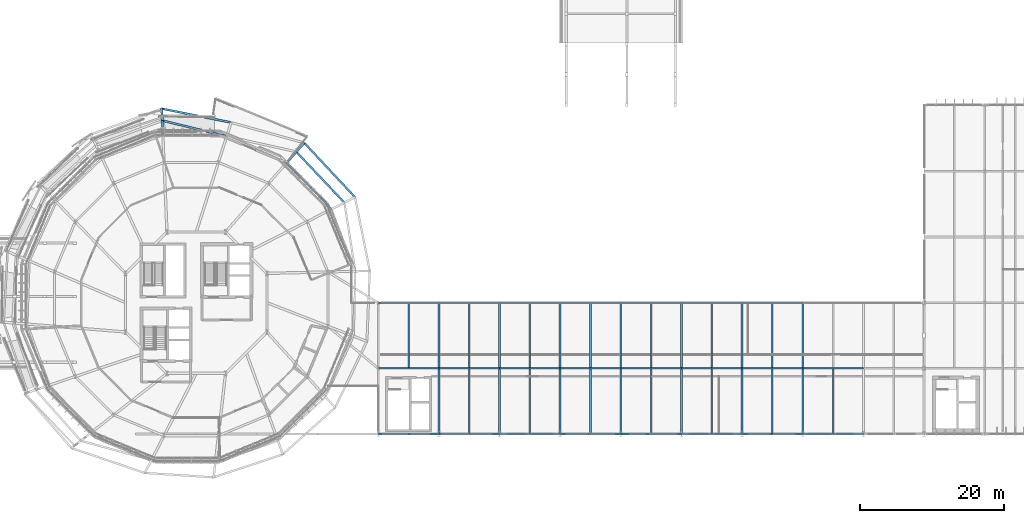
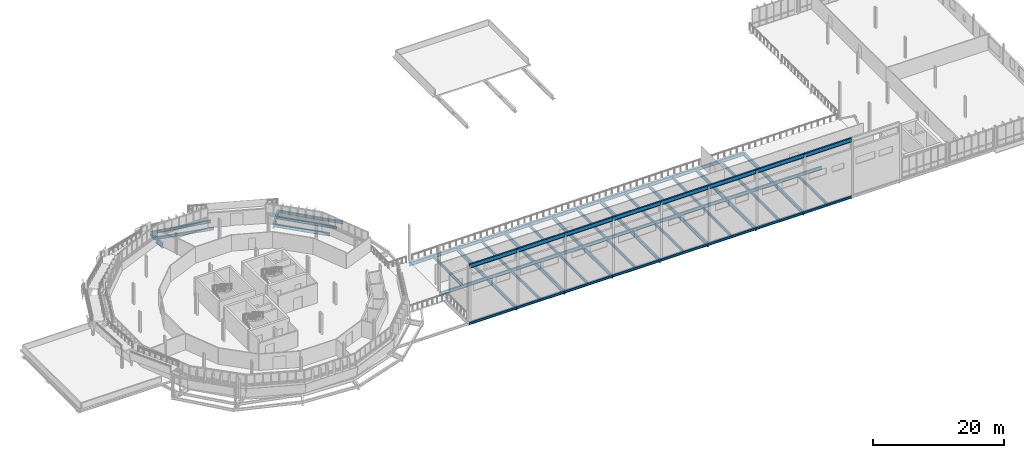
# One storey, part 30 of 61: 68 beams.
"""IFC4 building model written with IfcOpenShell, lengths in metres."""

from ifc_helpers import new_model, si_unit, derived_unit, direction, frame, origin, origin_2d, place, context, subcontext, project, spatial, i_section, extrude, material, material_profile, profile_set, type_object, element, save


model = new_model("IFC4")

# Units and contexts
model_context = context("Model", 3, precision=1e-05, world=origin(), true_north=direction((0.0, 1.0)))
body_context = subcontext(model_context, "Body", "Model", "MODEL_VIEW")
ifc_project = project(units=[si_unit("LENGTHUNIT", "METRE"), si_unit("AREAUNIT", "SQUARE_METRE"), si_unit("VOLUMEUNIT", "CUBIC_METRE"), si_unit("PLANEANGLEUNIT", "RADIAN"), si_unit("MASSUNIT", "GRAM", prefix="KILO"), derived_unit("THERMALTRANSMITTANCEUNIT", [(si_unit("MASSUNIT", "GRAM", prefix="KILO"), 1), (si_unit("TIMEUNIT", "SECOND"), -3), (si_unit("THERMODYNAMICTEMPERATUREUNIT", "KELVIN"), -1)])], contexts=[model_context])

# Site, building, storey
site_placement = place(None, origin())
site = spatial("IfcSite", under=ifc_project, at=site_placement, CompositionType="ELEMENT")
building_placement = place(site_placement, origin())
building = spatial("IfcBuilding", under=site, at=building_placement, Name="Makaiwela Harbour Ferry Terminal", CompositionType="ELEMENT")
storey_placement = place(building_placement, frame((0.0, 0.0, 13.800048828125)))
storey = spatial("IfcBuildingStorey", under=building, at=storey_placement, Name="L03", CompositionType="ELEMENT", Elevation=13.800048828125)

# Beams
ifc_material = material(Name="Steel ASTM A992 Grade 50", Category="steel")
ifc_material_profile_1 = material_profile(ifc_material, i_section(OverallWidth=0.280029296875, OverallDepth=0.462890625, WebThickness=0.0107421875, FlangeThickness=0.017333984375, at=origin_2d()), Name="W18X76")
ifc_profile_set_1 = profile_set([ifc_material_profile_1], Name="Steel ASTM A992 Grade 50")
beam_type_1 = type_object("IfcBeamType", Name="STR-BM-W18X76", PredefinedType="BEAM", material=ifc_profile_set_1)
beam_1_placement = place(storey_placement, frame((58.313720703125, 81.458740234375, -0.486572265625), z_axis=(-0.686996615629, 0.726660615497, 0.0), x_axis=(-0.726660615497, -0.686996615629, 0.0)))
element("IfcBeam", 1, at=beam_1_placement, inside=storey, type_object=beam_type_1, Name="Drum stage2 tie girder 331", PredefinedType="BEAM", context=body_context, shape_type="SweptSolid", body=[
    extrude(i_section(OverallWidth=0.280029296875, OverallDepth=0.462890625, WebThickness=0.0107421875, FlangeThickness=0.017333984375, at=origin_2d()), origin(), (0.0, 0.0, 1.0), 9.68212890625),
])
beam_2_placement = place(storey_placement, frame((42.01708984375, 90.650390625, -0.486572265625), z_axis=(-0.971619758184, 0.236548188551, 0.0), x_axis=(-0.236548188551, -0.971619758184, 0.0)))
element("IfcBeam", 2, at=beam_2_placement, inside=storey, type_object=beam_type_1, Name="Drum stage2 tie girder 335", PredefinedType="BEAM", context=body_context, shape_type="SweptSolid", body=[
    extrude(i_section(OverallWidth=0.280029296875, OverallDepth=0.462890625, WebThickness=0.0107421875, FlangeThickness=0.017333984375, at=origin_2d()), origin(), (0.0, 0.0, 1.0), 9.188720703125),
])
ifc_material_profile_2 = material_profile(ifc_material, i_section(OverallWidth=0.2099609375, OverallDepth=0.537109375, WebThickness=0.010986328125, FlangeThickness=0.017333984375, at=origin_2d()), Name="W21X68")
ifc_profile_set_2 = profile_set([ifc_material_profile_2], Name="Steel ASTM A992 Grade 50")
beam_type_2 = type_object("IfcBeamType", Name="STR-BM-W21X68", PredefinedType="BEAM", material=ifc_profile_set_2)
beam_3_placement = place(storey_placement, frame((67.199951171875, 58.596435546875, -0.508544921875), z_axis=(0.0, 1.0, 0.0), x_axis=(-1.0, 0.0, 0.0)))
element("IfcBeam", 3, at=beam_3_placement, inside=storey, type_object=beam_type_2, Name="Secondary floor beam 1633", PredefinedType="BEAM", context=body_context, shape_type="SweptSolid", body=[
    extrude(i_section(OverallWidth=0.2099609375, OverallDepth=0.537109375, WebThickness=0.010986328125, FlangeThickness=0.017333984375, at=origin_2d()), origin(), (0.0, 0.0, 1.0), 8.906982421875),
])
beam_4_placement = place(storey_placement, frame((75.60009765625, 49.514404296875, -0.508544921875), z_axis=(0.0, 1.0, 0.0), x_axis=(-1.0, 0.0, 0.0)))
element("IfcBeam", 4, at=beam_4_placement, inside=storey, type_object=beam_type_2, Name="Secondary floor beam 1634", PredefinedType="BEAM", context=body_context, shape_type="SweptSolid", body=[
    extrude(i_section(OverallWidth=0.2099609375, OverallDepth=0.537109375, WebThickness=0.010986328125, FlangeThickness=0.017333984375, at=origin_2d()), origin(), (0.0, 0.0, 1.0), 8.88916015625),
])
beam_5_placement = place(storey_placement, frame((75.60009765625, 58.596435546875, -0.508544921875), z_axis=(0.0, 1.0, 0.0), x_axis=(-1.0, 0.0, 0.0)))
element("IfcBeam", 5, at=beam_5_placement, inside=storey, type_object=beam_type_2, Name="Secondary floor beam 1635", PredefinedType="BEAM", context=body_context, shape_type="SweptSolid", body=[
    extrude(i_section(OverallWidth=0.2099609375, OverallDepth=0.537109375, WebThickness=0.010986328125, FlangeThickness=0.017333984375, at=origin_2d()), origin(), (0.0, 0.0, 1.0), 8.906982421875),
])
beam_6_placement = place(storey_placement, frame((84.0, 49.514404296875, -0.508544921875), z_axis=(0.0, 1.0, 0.0), x_axis=(-1.0, 0.0, 0.0)))
element("IfcBeam", 6, at=beam_6_placement, inside=storey, type_object=beam_type_2, Name="Secondary floor beam 1636", PredefinedType="BEAM", context=body_context, shape_type="SweptSolid", body=[
    extrude(i_section(OverallWidth=0.2099609375, OverallDepth=0.537109375, WebThickness=0.010986328125, FlangeThickness=0.017333984375, at=origin_2d()), origin(), (0.0, 0.0, 1.0), 8.88916015625),
])
beam_7_placement = place(storey_placement, frame((84.0, 58.596435546875, -0.508544921875), z_axis=(0.0, 1.0, 0.0), x_axis=(-1.0, 0.0, 0.0)))
element("IfcBeam", 7, at=beam_7_placement, inside=storey, type_object=beam_type_2, Name="Secondary floor beam 1637", PredefinedType="BEAM", context=body_context, shape_type="SweptSolid", body=[
    extrude(i_section(OverallWidth=0.2099609375, OverallDepth=0.537109375, WebThickness=0.010986328125, FlangeThickness=0.017333984375, at=origin_2d()), origin(), (0.0, 0.0, 1.0), 8.906982421875),
])
beam_8_placement = place(storey_placement, frame((92.39990234375, 49.514404296875, -0.508544921875), z_axis=(0.0, 1.0, 0.0), x_axis=(-1.0, 0.0, 0.0)))
element("IfcBeam", 8, at=beam_8_placement, inside=storey, type_object=beam_type_2, Name="Secondary floor beam 1638", PredefinedType="BEAM", context=body_context, shape_type="SweptSolid", body=[
    extrude(i_section(OverallWidth=0.2099609375, OverallDepth=0.537109375, WebThickness=0.010986328125, FlangeThickness=0.017333984375, at=origin_2d()), origin(), (0.0, 0.0, 1.0), 8.88916015625),
])
beam_9_placement = place(storey_placement, frame((92.39990234375, 58.596435546875, -0.508544921875), z_axis=(0.0, 1.0, 0.0), x_axis=(-1.0, 0.0, 0.0)))
element("IfcBeam", 9, at=beam_9_placement, inside=storey, type_object=beam_type_2, Name="Secondary floor beam 1639", PredefinedType="BEAM", context=body_context, shape_type="SweptSolid", body=[
    extrude(i_section(OverallWidth=0.2099609375, OverallDepth=0.537109375, WebThickness=0.010986328125, FlangeThickness=0.017333984375, at=origin_2d()), origin(), (0.0, 0.0, 1.0), 8.906982421875),
])
beam_10_placement = place(storey_placement, frame((100.800048828125, 49.514404296875, -0.508544921875), z_axis=(0.0, 1.0, 0.0), x_axis=(-1.0, 0.0, 0.0)))
element("IfcBeam", 10, at=beam_10_placement, inside=storey, type_object=beam_type_2, Name="Secondary floor beam 1640", PredefinedType="BEAM", context=body_context, shape_type="SweptSolid", body=[
    extrude(i_section(OverallWidth=0.2099609375, OverallDepth=0.537109375, WebThickness=0.010986328125, FlangeThickness=0.017333984375, at=origin_2d()), origin(), (0.0, 0.0, 1.0), 8.88916015625),
])
beam_11_placement = place(storey_placement, frame((100.800048828125, 58.596435546875, -0.508544921875), z_axis=(0.0, 1.0, 0.0), x_axis=(-1.0, 0.0, 0.0)))
element("IfcBeam", 11, at=beam_11_placement, inside=storey, type_object=beam_type_2, Name="Secondary floor beam 1641", PredefinedType="BEAM", context=body_context, shape_type="SweptSolid", body=[
    extrude(i_section(OverallWidth=0.2099609375, OverallDepth=0.537109375, WebThickness=0.010986328125, FlangeThickness=0.017333984375, at=origin_2d()), origin(), (0.0, 0.0, 1.0), 8.906982421875),
])
beam_12_placement = place(storey_placement, frame((109.199951171875, 49.514404296875, -0.508544921875), z_axis=(0.0, 1.0, 0.0), x_axis=(-1.0, 0.0, 0.0)))
element("IfcBeam", 12, at=beam_12_placement, inside=storey, type_object=beam_type_2, Name="Secondary floor beam 1642", PredefinedType="BEAM", context=body_context, shape_type="SweptSolid", body=[
    extrude(i_section(OverallWidth=0.2099609375, OverallDepth=0.537109375, WebThickness=0.010986328125, FlangeThickness=0.017333984375, at=origin_2d()), origin(), (0.0, 0.0, 1.0), 8.88916015625),
])
beam_13_placement = place(storey_placement, frame((109.199951171875, 58.596435546875, -0.508544921875), z_axis=(0.0, 1.0, 0.0), x_axis=(-1.0, 0.0, 0.0)))
element("IfcBeam", 13, at=beam_13_placement, inside=storey, type_object=beam_type_2, Name="Secondary floor beam 1643", PredefinedType="BEAM", context=body_context, shape_type="SweptSolid", body=[
    extrude(i_section(OverallWidth=0.2099609375, OverallDepth=0.537109375, WebThickness=0.010986328125, FlangeThickness=0.017333984375, at=origin_2d()), origin(), (0.0, 0.0, 1.0), 8.906982421875),
])
beam_14_placement = place(storey_placement, frame((117.60009765625, 49.514404296875, -0.508544921875), z_axis=(0.0, 1.0, 0.0), x_axis=(-1.0, 0.0, 0.0)))
element("IfcBeam", 14, at=beam_14_placement, inside=storey, type_object=beam_type_2, Name="Secondary floor beam 1644", PredefinedType="BEAM", context=body_context, shape_type="SweptSolid", body=[
    extrude(i_section(OverallWidth=0.2099609375, OverallDepth=0.537109375, WebThickness=0.010986328125, FlangeThickness=0.017333984375, at=origin_2d()), origin(), (0.0, 0.0, 1.0), 8.88916015625),
])
beam_15_placement = place(storey_placement, frame((117.60009765625, 58.596435546875, -0.508544921875), z_axis=(0.0, 1.0, 0.0), x_axis=(-1.0, 0.0, 0.0)))
element("IfcBeam", 15, at=beam_15_placement, inside=storey, type_object=beam_type_2, Name="Secondary floor beam 1645", PredefinedType="BEAM", context=body_context, shape_type="SweptSolid", body=[
    extrude(i_section(OverallWidth=0.2099609375, OverallDepth=0.537109375, WebThickness=0.010986328125, FlangeThickness=0.017333984375, at=origin_2d()), origin(), (0.0, 0.0, 1.0), 8.906982421875),
])
beam_16_placement = place(storey_placement, frame((126.0, 49.514404296875, -0.508544921875), z_axis=(0.0, 1.0, 0.0), x_axis=(-1.0, 0.0, 0.0)))
element("IfcBeam", 16, at=beam_16_placement, inside=storey, type_object=beam_type_2, Name="Secondary floor beam 1646", PredefinedType="BEAM", context=body_context, shape_type="SweptSolid", body=[
    extrude(i_section(OverallWidth=0.2099609375, OverallDepth=0.537109375, WebThickness=0.010986328125, FlangeThickness=0.017333984375, at=origin_2d()), origin(), (0.0, 0.0, 1.0), 8.88916015625),
])
ifc_material_profile_3 = material_profile(ifc_material, i_section(OverallWidth=0.324951171875, OverallDepth=0.615966796875, WebThickness=0.013916015625, FlangeThickness=0.021484375, at=origin_2d()), Name="W24X117")
ifc_profile_set_3 = profile_set([ifc_material_profile_3], Name="Steel ASTM A992 Grade 50")
beam_type_3 = type_object("IfcBeamType", Name="STR-GRD-W24X117", PredefinedType="USERDEFINED", material=ifc_profile_set_3)
beam_17_placement = place(storey_placement, frame((51.662109375, 88.494384765625, -0.56298828125), z_axis=(0.662037440407, 0.749470764939, 0.0), x_axis=(-0.749470764939, 0.662037440407, 0.0)))
element("IfcBeam", 17, at=beam_17_placement, inside=storey, type_object=beam_type_3, Name="Promenade terrace bracket 281", ObjectType="GIRDER", PredefinedType="USERDEFINED", context=body_context, shape_type="SweptSolid", body=[
    extrude(i_section(OverallWidth=0.324951171875, OverallDepth=0.615966796875, WebThickness=0.013916015625, FlangeThickness=0.021484375, at=origin_2d()), origin(), (0.0, 0.0, 1.0), 1.650146484375),
])
beam_18_placement = place(storey_placement, frame((33.089111328125, 92.823974609375, -0.56298828125), z_axis=(-0.04246757726, 0.999097845499, 0.0), x_axis=(-0.999097845499, -0.04246757726, 0.0)))
element("IfcBeam", 18, at=beam_18_placement, inside=storey, type_object=beam_type_3, Name="Promenade terrace bracket 288", ObjectType="GIRDER", PredefinedType="USERDEFINED", context=body_context, shape_type="SweptSolid", body=[
    extrude(i_section(OverallWidth=0.324951171875, OverallDepth=0.615966796875, WebThickness=0.013916015625, FlangeThickness=0.021484375, at=origin_2d()), origin(), (0.0, 0.0, 1.0), 1.64990234375),
])
ifc_material_profile_4 = material_profile(ifc_material, i_section(OverallWidth=0.22900390625, OverallDepth=0.612060546875, WebThickness=0.011962890625, FlangeThickness=0.01953125, at=origin_2d()), Name="W24X84")
ifc_profile_set_4 = profile_set([ifc_material_profile_4], Name="Steel ASTM A992 Grade 50")
beam_type_4 = type_object("IfcBeamType", Name="STR-GRD-W24X84", PredefinedType="USERDEFINED", material=ifc_profile_set_4)
beam_19_placement = place(storey_placement, frame((56.5322265625, 80.549560546875, -0.56103515625), z_axis=(-0.692888186671, 0.721045047672, 0.0), x_axis=(-0.721045047672, -0.692888186671, 0.0)))
element("IfcBeam", 19, at=beam_19_placement, inside=storey, type_object=beam_type_4, Name="Drum overhang tie girder 330", ObjectType="GIRDER", PredefinedType="USERDEFINED", context=body_context, shape_type="SweptSolid", body=[
    extrude(i_section(OverallWidth=0.22900390625, OverallDepth=0.612060546875, WebThickness=0.011962890625, FlangeThickness=0.01953125, at=origin_2d()), origin(), (0.0, 0.0, 1.0), 8.939453125),
])
beam_20_placement = place(storey_placement, frame((63.0, 58.5, -0.546142578125), z_axis=(1.0, 0.0, 0.0), x_axis=(0.0, 1.0, 0.0)))
element("IfcBeam", 20, at=beam_20_placement, inside=storey, type_object=beam_type_4, Name="Primary X girder 1565", ObjectType="GIRDER", PredefinedType="USERDEFINED", context=body_context, shape_type="SweptSolid", body=[
    extrude(i_section(OverallWidth=0.22900390625, OverallDepth=0.612060546875, WebThickness=0.011962890625, FlangeThickness=0.01953125, at=origin_2d()), origin(), (0.0, 0.0, 1.0), 8.39990234375),
])
beam_21_placement = place(storey_placement, frame((71.39990234375, 58.5, -0.546142578125), z_axis=(1.0, 0.0, 0.0), x_axis=(0.0, 1.0, 0.0)))
element("IfcBeam", 21, at=beam_21_placement, inside=storey, type_object=beam_type_4, Name="Primary X girder 1566", ObjectType="GIRDER", PredefinedType="USERDEFINED", context=body_context, shape_type="SweptSolid", body=[
    extrude(i_section(OverallWidth=0.22900390625, OverallDepth=0.612060546875, WebThickness=0.011962890625, FlangeThickness=0.01953125, at=origin_2d()), origin(), (0.0, 0.0, 1.0), 8.400146484375),
])
beam_22_placement = place(storey_placement, frame((79.800048828125, 58.5, -0.546142578125), z_axis=(1.0, 0.0, 0.0), x_axis=(0.0, 1.0, 0.0)))
element("IfcBeam", 22, at=beam_22_placement, inside=storey, type_object=beam_type_4, Name="Primary X girder 1567", ObjectType="GIRDER", PredefinedType="USERDEFINED", context=body_context, shape_type="SweptSolid", body=[
    extrude(i_section(OverallWidth=0.22900390625, OverallDepth=0.612060546875, WebThickness=0.011962890625, FlangeThickness=0.01953125, at=origin_2d()), origin(), (0.0, 0.0, 1.0), 8.39990234375),
])
beam_23_placement = place(storey_placement, frame((88.199951171875, 58.5, -0.546142578125), z_axis=(1.0, 0.0, 0.0), x_axis=(0.0, 1.0, 0.0)))
element("IfcBeam", 23, at=beam_23_placement, inside=storey, type_object=beam_type_4, Name="Primary X girder 1568", ObjectType="GIRDER", PredefinedType="USERDEFINED", context=body_context, shape_type="SweptSolid", body=[
    extrude(i_section(OverallWidth=0.22900390625, OverallDepth=0.612060546875, WebThickness=0.011962890625, FlangeThickness=0.01953125, at=origin_2d()), origin(), (0.0, 0.0, 1.0), 8.400146484375),
])
for number, where, z_axis, x_axis, name in (
    (24, (96.60009765625, 58.5, -0.546142578125), (1.0, 0.0, 0.0), (0.0, 1.0, 0.0), "Primary X girder 1569"),
    (25, (105.0, 58.5, -0.546142578125), (1.0, 0.0, 0.0), (0.0, 1.0, 0.0), "Primary X girder 1570"),
):
    element("IfcBeam", number, at=place(storey_placement, frame(where, z_axis=z_axis, x_axis=x_axis)), inside=storey, type_object=beam_type_4, Name=name, ObjectType="GIRDER", PredefinedType="USERDEFINED", context=body_context, shape_type="SweptSolid", body=[
        extrude(i_section(OverallWidth=0.22900390625, OverallDepth=0.612060546875, WebThickness=0.011962890625, FlangeThickness=0.01953125, at=origin_2d()), origin(), (0.0, 0.0, 1.0), 8.39990234375),
    ])
beam_24_placement = place(storey_placement, frame((113.39990234375, 58.5, -0.546142578125), z_axis=(1.0, 0.0, 0.0), x_axis=(0.0, 1.0, 0.0)))
element("IfcBeam", 26, at=beam_24_placement, inside=storey, type_object=beam_type_4, Name="Primary X girder 1571", ObjectType="GIRDER", PredefinedType="USERDEFINED", context=body_context, shape_type="SweptSolid", body=[
    extrude(i_section(OverallWidth=0.22900390625, OverallDepth=0.612060546875, WebThickness=0.011962890625, FlangeThickness=0.01953125, at=origin_2d()), origin(), (0.0, 0.0, 1.0), 8.400146484375),
])
for number, where, z_axis, x_axis, name in (
    (27, (121.800048828125, 58.5, -0.546142578125), (1.0, 0.0, 0.0), (0.0, 1.0, 0.0), "Primary X girder 1572"),
    (28, (63.0, 67.60009765625, -0.546142578125), (1.0, 0.0, 0.0), (0.0, 1.0, 0.0), "Primary X girder 1577"),
):
    element("IfcBeam", number, at=place(storey_placement, frame(where, z_axis=z_axis, x_axis=x_axis)), inside=storey, type_object=beam_type_4, Name=name, ObjectType="GIRDER", PredefinedType="USERDEFINED", context=body_context, shape_type="SweptSolid", body=[
        extrude(i_section(OverallWidth=0.22900390625, OverallDepth=0.612060546875, WebThickness=0.011962890625, FlangeThickness=0.01953125, at=origin_2d()), origin(), (0.0, 0.0, 1.0), 8.39990234375),
    ])
beam_25_placement = place(storey_placement, frame((71.39990234375, 67.60009765625, -0.546142578125), z_axis=(1.0, 0.0, 0.0), x_axis=(0.0, 1.0, 0.0)))
element("IfcBeam", 29, at=beam_25_placement, inside=storey, type_object=beam_type_4, Name="Primary X girder 1578", ObjectType="GIRDER", PredefinedType="USERDEFINED", context=body_context, shape_type="SweptSolid", body=[
    extrude(i_section(OverallWidth=0.22900390625, OverallDepth=0.612060546875, WebThickness=0.011962890625, FlangeThickness=0.01953125, at=origin_2d()), origin(), (0.0, 0.0, 1.0), 8.400146484375),
])
beam_26_placement = place(storey_placement, frame((79.800048828125, 67.60009765625, -0.546142578125), z_axis=(1.0, 0.0, 0.0), x_axis=(0.0, 1.0, 0.0)))
element("IfcBeam", 30, at=beam_26_placement, inside=storey, type_object=beam_type_4, Name="Primary X girder 1579", ObjectType="GIRDER", PredefinedType="USERDEFINED", context=body_context, shape_type="SweptSolid", body=[
    extrude(i_section(OverallWidth=0.22900390625, OverallDepth=0.612060546875, WebThickness=0.011962890625, FlangeThickness=0.01953125, at=origin_2d()), origin(), (0.0, 0.0, 1.0), 8.39990234375),
])
beam_27_placement = place(storey_placement, frame((88.199951171875, 67.60009765625, -0.546142578125), z_axis=(1.0, 0.0, 0.0), x_axis=(0.0, 1.0, 0.0)))
element("IfcBeam", 31, at=beam_27_placement, inside=storey, type_object=beam_type_4, Name="Primary X girder 1580", ObjectType="GIRDER", PredefinedType="USERDEFINED", context=body_context, shape_type="SweptSolid", body=[
    extrude(i_section(OverallWidth=0.22900390625, OverallDepth=0.612060546875, WebThickness=0.011962890625, FlangeThickness=0.01953125, at=origin_2d()), origin(), (0.0, 0.0, 1.0), 8.400146484375),
])
for number, where, z_axis, x_axis, name in (
    (32, (96.60009765625, 67.60009765625, -0.546142578125), (1.0, 0.0, 0.0), (0.0, 1.0, 0.0), "Primary X girder 1581"),
    (33, (105.0, 67.60009765625, -0.546142578125), (1.0, 0.0, 0.0), (0.0, 1.0, 0.0), "Primary X girder 1582"),
):
    element("IfcBeam", number, at=place(storey_placement, frame(where, z_axis=z_axis, x_axis=x_axis)), inside=storey, type_object=beam_type_4, Name=name, ObjectType="GIRDER", PredefinedType="USERDEFINED", context=body_context, shape_type="SweptSolid", body=[
        extrude(i_section(OverallWidth=0.22900390625, OverallDepth=0.612060546875, WebThickness=0.011962890625, FlangeThickness=0.01953125, at=origin_2d()), origin(), (0.0, 0.0, 1.0), 8.39990234375),
    ])
beam_28_placement = place(storey_placement, frame((113.39990234375, 67.60009765625, -0.546142578125), z_axis=(1.0, 0.0, 0.0), x_axis=(0.0, 1.0, 0.0)))
element("IfcBeam", 34, at=beam_28_placement, inside=storey, type_object=beam_type_4, Name="Primary X girder 1583", ObjectType="GIRDER", PredefinedType="USERDEFINED", context=body_context, shape_type="SweptSolid", body=[
    extrude(i_section(OverallWidth=0.22900390625, OverallDepth=0.612060546875, WebThickness=0.011962890625, FlangeThickness=0.01953125, at=origin_2d()), origin(), (0.0, 0.0, 1.0), 8.400146484375),
])
ifc_material_profile_5 = material_profile(ifc_material, i_section(OverallWidth=0.256103515625, OverallDepth=0.693115234375, WebThickness=0.014404296875, FlangeThickness=0.023681640625, at=origin_2d()), Name="W27X114")
ifc_profile_set_5 = profile_set([ifc_material_profile_5], Name="Steel ASTM A992 Grade 50")
beam_type_5 = type_object("IfcBeamType", Name="STR-GRD-W27X114", PredefinedType="USERDEFINED", material=ifc_profile_set_5)
for number, where, z_axis, x_axis, name in (
    (35, (71.39990234375, 49.39990234375, -0.586669921875), (0.0, 1.0, 0.0), (-1.0, 0.0, 0.0), "Primary Y girder 1600"),
    (36, (71.39990234375, 58.5, -0.586669921875), (0.0, 1.0, 0.0), (-1.0, 0.0, 0.0), "Primary Y girder 1601"),
    (37, (79.800048828125, 49.39990234375, -0.586669921875), (0.0, 1.0, 0.0), (-1.0, 0.0, 0.0), "Primary Y girder 1602"),
    (38, (79.800048828125, 58.5, -0.586669921875), (0.0, 1.0, 0.0), (-1.0, 0.0, 0.0), "Primary Y girder 1603"),
    (39, (88.199951171875, 49.39990234375, -0.586669921875), (0.0, 1.0, 0.0), (-1.0, 0.0, 0.0), "Primary Y girder 1604"),
    (40, (88.199951171875, 58.5, -0.586669921875), (0.0, 1.0, 0.0), (-1.0, 0.0, 0.0), "Primary Y girder 1605"),
    (41, (96.60009765625, 49.39990234375, -0.586669921875), (0.0, 1.0, 0.0), (-1.0, 0.0, 0.0), "Primary Y girder 1606"),
    (42, (96.60009765625, 58.5, -0.586669921875), (0.0, 1.0, 0.0), (-1.0, 0.0, 0.0), "Primary Y girder 1607"),
    (43, (105.0, 49.39990234375, -0.586669921875), (0.0, 1.0, 0.0), (-1.0, 0.0, 0.0), "Primary Y girder 1608"),
    (44, (105.0, 58.5, -0.586669921875), (0.0, 1.0, 0.0), (-1.0, 0.0, 0.0), "Primary Y girder 1609"),
    (45, (113.39990234375, 49.39990234375, -0.586669921875), (0.0, 1.0, 0.0), (-1.0, 0.0, 0.0), "Primary Y girder 1610"),
    (46, (113.39990234375, 58.5, -0.586669921875), (0.0, 1.0, 0.0), (-1.0, 0.0, 0.0), "Primary Y girder 1611"),
    (47, (121.800048828125, 49.39990234375, -0.586669921875), (0.0, 1.0, 0.0), (-1.0, 0.0, 0.0), "Primary Y girder 1612"),
    (48, (121.800048828125, 58.5, -0.586669921875), (0.0, 1.0, 0.0), (-1.0, 0.0, 0.0), "Primary Y girder 1613"),
):
    element("IfcBeam", number, at=place(storey_placement, frame(where, z_axis=z_axis, x_axis=x_axis)), inside=storey, type_object=beam_type_5, Name=name, ObjectType="GIRDER", PredefinedType="USERDEFINED", context=body_context, shape_type="SweptSolid", body=[
        extrude(i_section(OverallWidth=0.256103515625, OverallDepth=0.693115234375, WebThickness=0.014404296875, FlangeThickness=0.023681640625, at=origin_2d()), origin(), (0.0, 0.0, 1.0), 9.10009765625),
    ])
ifc_material_profile_6 = material_profile(ifc_material, i_section(OverallWidth=0.26806640625, OverallDepth=0.77001953125, WebThickness=0.015625, FlangeThickness=0.025390625, at=origin_2d()), Name="W30X132")
ifc_profile_set_6 = profile_set([ifc_material_profile_6], Name="Steel ASTM A992 Grade 50")
beam_type_6 = type_object("IfcBeamType", Name="STR-GRD-W30X132", PredefinedType="USERDEFINED", material=ifc_profile_set_6)
beam_29_placement = place(storey_placement, frame((63.0, 49.39990234375, 10.14990234375), z_axis=(1.0, 0.0, 0.0), x_axis=(0.0, 1.0, 0.0)))
element("IfcBeam", 49, at=beam_29_placement, inside=storey, type_object=beam_type_6, Name="Vault crown ring girder G-1", ObjectType="GIRDER", PredefinedType="USERDEFINED", context=body_context, shape_type="SweptSolid", body=[
    extrude(i_section(OverallWidth=0.26806640625, OverallDepth=0.77001953125, WebThickness=0.015625, FlangeThickness=0.025390625, at=origin_2d()), origin(), (0.0, 0.0, 1.0), 8.39990234375),
])
beam_30_placement = place(storey_placement, frame((71.39990234375, 49.39990234375, 10.14990234375), z_axis=(1.0, 0.0, 0.0), x_axis=(0.0, 1.0, 0.0)))
element("IfcBeam", 50, at=beam_30_placement, inside=storey, type_object=beam_type_6, Name="Vault crown ring girder G-2", ObjectType="GIRDER", PredefinedType="USERDEFINED", context=body_context, shape_type="SweptSolid", body=[
    extrude(i_section(OverallWidth=0.26806640625, OverallDepth=0.77001953125, WebThickness=0.015625, FlangeThickness=0.025390625, at=origin_2d()), origin(), (0.0, 0.0, 1.0), 8.400146484375),
])
beam_31_placement = place(storey_placement, frame((79.800048828125, 49.39990234375, 10.14990234375), z_axis=(1.0, 0.0, 0.0), x_axis=(0.0, 1.0, 0.0)))
element("IfcBeam", 51, at=beam_31_placement, inside=storey, type_object=beam_type_6, Name="Vault crown ring girder G-3", ObjectType="GIRDER", PredefinedType="USERDEFINED", context=body_context, shape_type="SweptSolid", body=[
    extrude(i_section(OverallWidth=0.26806640625, OverallDepth=0.77001953125, WebThickness=0.015625, FlangeThickness=0.025390625, at=origin_2d()), origin(), (0.0, 0.0, 1.0), 8.39990234375),
])
beam_32_placement = place(storey_placement, frame((88.199951171875, 49.39990234375, 10.14990234375), z_axis=(1.0, 0.0, 0.0), x_axis=(0.0, 1.0, 0.0)))
element("IfcBeam", 52, at=beam_32_placement, inside=storey, type_object=beam_type_6, Name="Vault crown ring girder G-4", ObjectType="GIRDER", PredefinedType="USERDEFINED", context=body_context, shape_type="SweptSolid", body=[
    extrude(i_section(OverallWidth=0.26806640625, OverallDepth=0.77001953125, WebThickness=0.015625, FlangeThickness=0.025390625, at=origin_2d()), origin(), (0.0, 0.0, 1.0), 8.400146484375),
])
for number, where, z_axis, x_axis, name in (
    (53, (96.60009765625, 49.39990234375, 10.14990234375), (1.0, 0.0, 0.0), (0.0, 1.0, 0.0), "Vault crown ring girder G-5"),
    (54, (105.0, 49.39990234375, 10.14990234375), (1.0, 0.0, 0.0), (0.0, 1.0, 0.0), "Vault crown ring girder G-6"),
):
    element("IfcBeam", number, at=place(storey_placement, frame(where, z_axis=z_axis, x_axis=x_axis)), inside=storey, type_object=beam_type_6, Name=name, ObjectType="GIRDER", PredefinedType="USERDEFINED", context=body_context, shape_type="SweptSolid", body=[
        extrude(i_section(OverallWidth=0.26806640625, OverallDepth=0.77001953125, WebThickness=0.015625, FlangeThickness=0.025390625, at=origin_2d()), origin(), (0.0, 0.0, 1.0), 8.39990234375),
    ])
beam_33_placement = place(storey_placement, frame((113.39990234375, 49.39990234375, 10.14990234375), z_axis=(1.0, 0.0, 0.0), x_axis=(0.0, 1.0, 0.0)))
element("IfcBeam", 55, at=beam_33_placement, inside=storey, type_object=beam_type_6, Name="Vault crown ring girder G-7", ObjectType="GIRDER", PredefinedType="USERDEFINED", context=body_context, shape_type="SweptSolid", body=[
    extrude(i_section(OverallWidth=0.26806640625, OverallDepth=0.77001953125, WebThickness=0.015625, FlangeThickness=0.025390625, at=origin_2d()), origin(), (0.0, 0.0, 1.0), 8.400146484375),
])
beam_34_placement = place(storey_placement, frame((121.800048828125, 49.39990234375, 10.14990234375), z_axis=(1.0, 0.0, 0.0), x_axis=(0.0, 1.0, 0.0)))
element("IfcBeam", 56, at=beam_34_placement, inside=storey, type_object=beam_type_6, Name="Vault crown ring girder G-8", ObjectType="GIRDER", PredefinedType="USERDEFINED", context=body_context, shape_type="SweptSolid", body=[
    extrude(i_section(OverallWidth=0.26806640625, OverallDepth=0.77001953125, WebThickness=0.015625, FlangeThickness=0.025390625, at=origin_2d()), origin(), (0.0, 0.0, 1.0), 8.39990234375),
])
ifc_material_profile_7 = material_profile(ifc_material, i_section(OverallWidth=0.31005859375, OverallDepth=0.949951171875, WebThickness=0.0244140625, FlangeThickness=0.0439453125, at=origin_2d()), Name="W36X256")
ifc_profile_set_7 = profile_set([ifc_material_profile_7], Name="Steel ASTM A992 Grade 50")
beam_type_7 = type_object("IfcBeamType", Name="STR-GRD-W36X256", PredefinedType="USERDEFINED", material=ifc_profile_set_7)
for number, where, z_axis, x_axis, name in (
    (57, (50.338134765625, 86.995361328125, -0.72998046875), (0.661988956977, 0.749513589497, 0.0), (-0.749513589497, 0.661988956977, 0.0), "Drum overhang radial girder 280"),
    (58, (33.173583984375, 90.82568359375, -0.72998046875), (-0.042234730559, 0.999107715682, 0.0), (-0.999107715682, -0.042234730559, 0.0), "Drum overhang radial girder 287"),
):
    element("IfcBeam", number, at=place(storey_placement, frame(where, z_axis=z_axis, x_axis=x_axis)), inside=storey, type_object=beam_type_7, Name=name, ObjectType="GIRDER", PredefinedType="USERDEFINED", context=body_context, shape_type="SweptSolid", body=[
        extrude(i_section(OverallWidth=0.31005859375, OverallDepth=0.949951171875, WebThickness=0.0244140625, FlangeThickness=0.0439453125, at=origin_2d()), origin(), (0.0, 0.0, 1.0), 2.0),
    ])
ifc_material_profile_8 = material_profile(ifc_material, i_section(OverallWidth=0.264892578125, OverallDepth=0.430908203125, WebThickness=0.014892578125, FlangeThickness=0.02490234375, at=origin_2d()), Name="W16X100")
ifc_profile_set_8 = profile_set([ifc_material_profile_8], Name="Steel ASTM A992 Grade 50")
beam_type_8 = type_object("IfcBeamType", Name="STR-SPN-W16X100", PredefinedType="SPANDREL", material=ifc_profile_set_8)
beam_35_placement = place(storey_placement, frame((63.0, 49.39990234375, -0.45556640625), z_axis=(1.0, 0.0, 0.0), x_axis=(0.0, 1.0, 0.0)))
element("IfcBeam", 59, at=beam_35_placement, inside=storey, type_object=beam_type_8, Name="Primary X girder 1553", PredefinedType="SPANDREL", context=body_context, shape_type="SweptSolid", body=[
    extrude(i_section(OverallWidth=0.264892578125, OverallDepth=0.430908203125, WebThickness=0.014892578125, FlangeThickness=0.02490234375, at=origin_2d()), origin(), (0.0, 0.0, 1.0), 8.39990234375),
])
beam_36_placement = place(storey_placement, frame((71.39990234375, 49.39990234375, -0.45556640625), z_axis=(1.0, 0.0, 0.0), x_axis=(0.0, 1.0, 0.0)))
element("IfcBeam", 60, at=beam_36_placement, inside=storey, type_object=beam_type_8, Name="Primary X girder 1554", PredefinedType="SPANDREL", context=body_context, shape_type="SweptSolid", body=[
    extrude(i_section(OverallWidth=0.264892578125, OverallDepth=0.430908203125, WebThickness=0.014892578125, FlangeThickness=0.02490234375, at=origin_2d()), origin(), (0.0, 0.0, 1.0), 8.400146484375),
])
beam_37_placement = place(storey_placement, frame((79.800048828125, 49.39990234375, -0.45556640625), z_axis=(1.0, 0.0, 0.0), x_axis=(0.0, 1.0, 0.0)))
element("IfcBeam", 61, at=beam_37_placement, inside=storey, type_object=beam_type_8, Name="Primary X girder 1555", PredefinedType="SPANDREL", context=body_context, shape_type="SweptSolid", body=[
    extrude(i_section(OverallWidth=0.264892578125, OverallDepth=0.430908203125, WebThickness=0.014892578125, FlangeThickness=0.02490234375, at=origin_2d()), origin(), (0.0, 0.0, 1.0), 8.39990234375),
])
beam_38_placement = place(storey_placement, frame((88.199951171875, 49.39990234375, -0.45556640625), z_axis=(1.0, 0.0, 0.0), x_axis=(0.0, 1.0, 0.0)))
element("IfcBeam", 62, at=beam_38_placement, inside=storey, type_object=beam_type_8, Name="Primary X girder 1556", PredefinedType="SPANDREL", context=body_context, shape_type="SweptSolid", body=[
    extrude(i_section(OverallWidth=0.264892578125, OverallDepth=0.430908203125, WebThickness=0.014892578125, FlangeThickness=0.02490234375, at=origin_2d()), origin(), (0.0, 0.0, 1.0), 8.400146484375),
])
for number, where, z_axis, x_axis, name in (
    (63, (96.60009765625, 49.39990234375, -0.45556640625), (1.0, 0.0, 0.0), (0.0, 1.0, 0.0), "Primary X girder 1557"),
    (64, (105.0, 49.39990234375, -0.45556640625), (1.0, 0.0, 0.0), (0.0, 1.0, 0.0), "Primary X girder 1558"),
):
    element("IfcBeam", number, at=place(storey_placement, frame(where, z_axis=z_axis, x_axis=x_axis)), inside=storey, type_object=beam_type_8, Name=name, PredefinedType="SPANDREL", context=body_context, shape_type="SweptSolid", body=[
        extrude(i_section(OverallWidth=0.264892578125, OverallDepth=0.430908203125, WebThickness=0.014892578125, FlangeThickness=0.02490234375, at=origin_2d()), origin(), (0.0, 0.0, 1.0), 8.39990234375),
    ])
beam_39_placement = place(storey_placement, frame((113.39990234375, 49.39990234375, -0.45556640625), z_axis=(1.0, 0.0, 0.0), x_axis=(0.0, 1.0, 0.0)))
element("IfcBeam", 65, at=beam_39_placement, inside=storey, type_object=beam_type_8, Name="Primary X girder 1559", PredefinedType="SPANDREL", context=body_context, shape_type="SweptSolid", body=[
    extrude(i_section(OverallWidth=0.264892578125, OverallDepth=0.430908203125, WebThickness=0.014892578125, FlangeThickness=0.02490234375, at=origin_2d()), origin(), (0.0, 0.0, 1.0), 8.400146484375),
])
beam_40_placement = place(storey_placement, frame((121.800048828125, 49.39990234375, -0.45556640625), z_axis=(1.0, 0.0, 0.0), x_axis=(0.0, 1.0, 0.0)))
element("IfcBeam", 66, at=beam_40_placement, inside=storey, type_object=beam_type_8, Name="Primary X girder 1560", PredefinedType="SPANDREL", context=body_context, shape_type="SweptSolid", body=[
    extrude(i_section(OverallWidth=0.264892578125, OverallDepth=0.430908203125, WebThickness=0.014892578125, FlangeThickness=0.02490234375, at=origin_2d()), origin(), (0.0, 0.0, 1.0), 8.39990234375),
])
ifc_material_profile_9 = material_profile(ifc_material, i_section(OverallWidth=0.283935546875, OverallDepth=0.47607421875, WebThickness=0.014892578125, FlangeThickness=0.02392578125, at=origin_2d()), Name="W18X106")
ifc_profile_set_9 = profile_set([ifc_material_profile_9], Name="Steel ASTM A992 Grade 50")
beam_type_9 = type_object("IfcBeamType", Name="STR-SPN-W18X106", PredefinedType="SPANDREL", material=ifc_profile_set_9)
beam_41_placement = place(storey_placement, frame((59.783447265625, 82.20849609375, -0.4931640625), z_axis=(-0.682713564409, 0.730686108375, 0.0), x_axis=(-0.730686108375, -0.682713564409, 0.0)))
element("IfcBeam", 67, at=beam_41_placement, inside=storey, type_object=beam_type_9, Name="Drum perimeter spandrel 356", PredefinedType="SPANDREL", context=body_context, shape_type="SweptSolid", body=[
    extrude(i_section(OverallWidth=0.283935546875, OverallDepth=0.47607421875, WebThickness=0.014892578125, FlangeThickness=0.02392578125, at=origin_2d()), origin(), (0.0, 0.0, 1.0), 10.29541015625),
])
beam_42_placement = place(storey_placement, frame((42.623291015625, 92.556396484375, -0.4931640625), z_axis=(-0.980675482172, 0.19564150548, 0.0), x_axis=(-0.19564150548, -0.980675482172, 0.0)))
element("IfcBeam", 68, at=beam_42_placement, inside=storey, type_object=beam_type_9, Name="Drum perimeter spandrel 358", PredefinedType="SPANDREL", context=body_context, shape_type="SweptSolid", body=[
    extrude(i_section(OverallWidth=0.283935546875, OverallDepth=0.47607421875, WebThickness=0.014892578125, FlangeThickness=0.02392578125, at=origin_2d()), origin(), (0.0, 0.0, 1.0), 9.79345703125),
])

save(model, "model.ifc")
